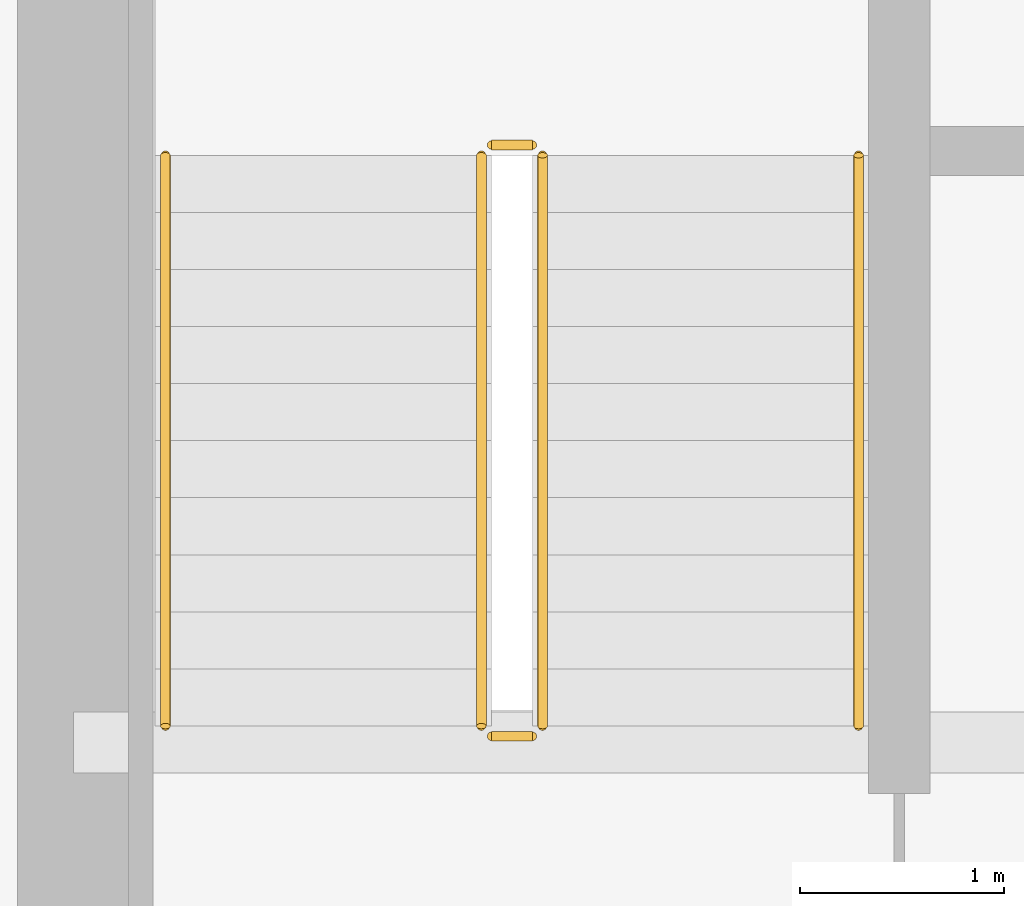
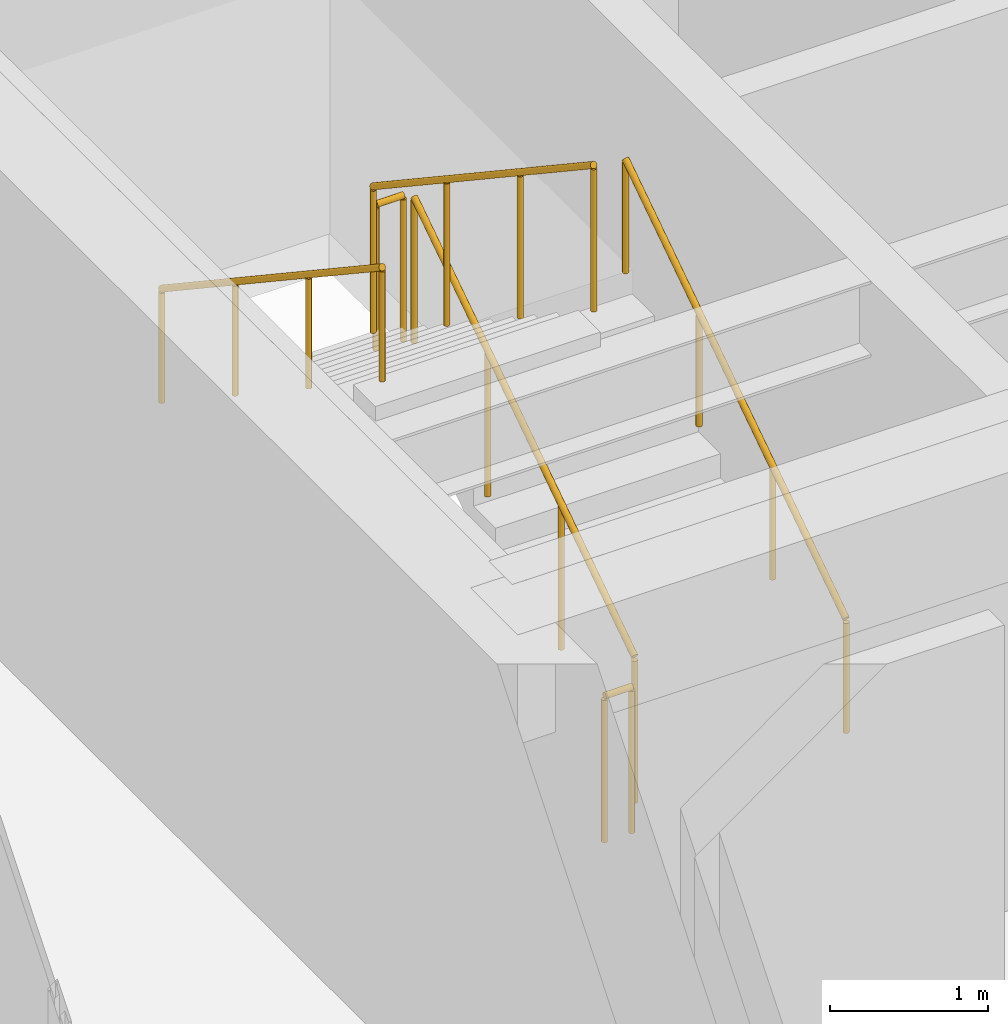
# One storey, part 32 of 33: 6 railings.
"""IFC4 building model written with IfcOpenShell, lengths in metres."""

from ifc_helpers import new_model, si_unit, direction, frame, origin, origin_2d, place, context, subcontext, project, spatial, circle, extrude, source, transform, mapped, material, type_object, type_shapes, element, save


model = new_model("IFC4")

# Units and contexts
model_context = context("Model", 3, precision=1e-05, world=origin(), true_north=direction((0.0, 1.0)))
body_context = subcontext(model_context, "Body", "Model", "MODEL_VIEW")
ifc_project = project(units=[si_unit("LENGTHUNIT", "METRE"), si_unit("AREAUNIT", "SQUARE_METRE"), si_unit("VOLUMEUNIT", "CUBIC_METRE"), si_unit("PLANEANGLEUNIT", "RADIAN"), si_unit("MASSUNIT", "GRAM", prefix="KILO")], contexts=[model_context])

# Site, building, storey
site_placement = place(None, origin())
site = spatial("IfcSite", under=ifc_project, at=site_placement, CompositionType="ELEMENT")
building_placement = place(site_placement, origin())
building = spatial("IfcBuilding", under=site, at=building_placement, Name="Haelvirn Gate Laboratories", CompositionType="ELEMENT")
storey_placement = place(building_placement, frame((0.0, 0.0, 258.800048828125)))
storey = spatial("IfcBuildingStorey", under=building, at=storey_placement, Name="L62", CompositionType="ELEMENT", Elevation=258.800048828125)

# Railings
ifc_material_1 = material(Name="Galvanised steel SM355 & stainless top rail", Category="steel")
railing_type_1 = type_object("IfcRailingType", Name="RL-GUARD-1150", PredefinedType="GUARDRAIL", material=ifc_material_1)
shared_shape_1 = source(origin(), body_context, "Body", "SweptSolid", [
    extrude(circle(Radius=0.02392578125, at=origin_2d()), frame((0.0, 0.0, 1.1259765625), z_axis=(-1.0, 0.0, 0.0), x_axis=(0.0, -1.0, 0.0)), (0.0, 0.0, 1.0), 0.199951171875),
    extrude(circle(Radius=0.02099609375, at=origin_2d()), origin(), (0.0, 0.0, 1.0), 1.101806640625),
    extrude(circle(Radius=0.02099609375, at=origin_2d()), frame((-0.199951171875, 0.0, 0.0)), (0.0, 0.0, 1.0), 1.101806640625),
])
for number, where, name in (
    (1, (9.64990234375, 29.550048828125, 2.050048828125), "L62 ST1 stair guard 2"),
    (2, (9.64990234375, 26.64990234375, 0.0), "L62 ST1 stair guard 4"),
):
    element("IfcRailing", number, at=place(storey_placement, frame(where)), inside=storey, type_object=railing_type_1, Name=name, PredefinedType="GUARDRAIL", context=body_context, shape_type="MappedRepresentation", body=[
        mapped(shared_shape_1, transform((0.0, 0.0, 0.0), scale=1.0)),
    ])
shared_shape_2 = source(origin(), body_context, "Body", "SweptSolid", [
    extrude(circle(Radius=0.02392578125, at=origin_2d()), frame((0.0, 0.0, 1.1259765625), z_axis=(0.0, 0.832452072856, 0.554097055034), x_axis=(-1.0, 0.0, 0.0)), (0.0, 0.0, 1.0), 3.363525390625),
    extrude(circle(Radius=0.02099609375, at=origin_2d()), origin(), (0.0, 0.0, 1.0), 1.101806640625),
    extrude(circle(Radius=0.02099609375, at=origin_2d()), frame((0.0, 0.933349609375, 0.621337890625)), (0.0, 0.0, 1.0), 1.101806640625),
    extrude(circle(Radius=0.02099609375, at=origin_2d()), frame((0.0, 1.86669921875, 1.242431640625)), (0.0, 0.0, 1.0), 1.101806640625),
    extrude(circle(Radius=0.02099609375, at=origin_2d()), frame((0.0, 2.800048828125, 1.86376953125)), (0.0, 0.0, 1.0), 1.101806640625),
])
railing_1_placement = place(storey_placement, frame((9.699951171875, 26.699951171875, 0.186279296875)))
element("IfcRailing", 3, at=railing_1_placement, inside=storey, type_object=railing_type_1, Name="L62 ST1 stair guard 1", PredefinedType="GUARDRAIL", context=body_context, shape_type="MappedRepresentation", body=[
    mapped(shared_shape_2, transform((0.0, 0.0, 0.0), scale=1.0)),
])
shared_shape_3 = source(origin(), body_context, "Body", "SweptSolid", [
    extrude(circle(Radius=0.02392578125, at=origin_2d()), frame((0.0, 0.0, 1.1259765625), z_axis=(0.0, -0.832485552168, 0.554046753832), x_axis=(1.0, 0.0, 0.0)), (0.0, 0.0, 1.0), 3.363525390625),
    extrude(circle(Radius=0.02099609375, at=origin_2d()), origin(), (0.0, 0.0, 1.0), 1.101806640625),
    extrude(circle(Radius=0.02099609375, at=origin_2d()), frame((0.0, -0.933349609375, 0.62109375)), (0.0, 0.0, 1.0), 1.101806640625),
    extrude(circle(Radius=0.02099609375, at=origin_2d()), frame((0.0, -1.86669921875, 1.242431640625)), (0.0, 0.0, 1.0), 1.101806640625),
    extrude(circle(Radius=0.02099609375, at=origin_2d()), frame((0.0, -2.800048828125, 1.863525390625)), (0.0, 0.0, 1.0), 1.101806640625),
])
type_shapes(railing_type_1, [shared_shape_1, shared_shape_2, shared_shape_3])
railing_2_placement = place(storey_placement, frame((9.39990234375, 29.5, 2.236328125)))
element("IfcRailing", 4, at=railing_2_placement, inside=storey, type_object=railing_type_1, Name="L62 ST1 stair guard 3", PredefinedType="GUARDRAIL", context=body_context, shape_type="MappedRepresentation", body=[
    mapped(shared_shape_3, transform((0.0, 0.0, 0.0), scale=1.0)),
])
ifc_material_2 = material(Name="Brushed stainless steel 316L", Category="steel")
railing_type_2 = type_object("IfcRailingType", Name="RL-HAND-920", PredefinedType="HANDRAIL", material=ifc_material_2)
shared_shape_4 = source(origin(), body_context, "Body", "SweptSolid", [
    extrude(circle(Radius=0.02392578125, at=origin_2d()), frame((0.0, 0.0, 0.8759765625), z_axis=(0.0, 0.832452072856, 0.554097055034), x_axis=(-1.0, 0.0, 0.0)), (0.0, 0.0, 1.0), 3.363525390625),
    extrude(circle(Radius=0.02099609375, at=origin_2d()), origin(), (0.0, 0.0, 1.0), 0.851806640625),
    extrude(circle(Radius=0.02099609375, at=origin_2d()), frame((0.0, 0.933349609375, 0.621337890625)), (0.0, 0.0, 1.0), 0.851806640625),
    extrude(circle(Radius=0.02099609375, at=origin_2d()), frame((0.0, 1.86669921875, 1.242431640625)), (0.0, 0.0, 1.0), 0.851806640625),
    extrude(circle(Radius=0.02099609375, at=origin_2d()), frame((0.0, 2.800048828125, 1.86376953125)), (0.0, 0.0, 1.0), 0.851806640625),
])
railing_3_placement = place(storey_placement, frame((11.25, 26.699951171875, 0.186279296875)))
element("IfcRailing", 5, at=railing_3_placement, inside=storey, type_object=railing_type_2, Name="L62 ST1 stair handrail 1", PredefinedType="HANDRAIL", context=body_context, shape_type="MappedRepresentation", body=[
    mapped(shared_shape_4, transform((0.0, 0.0, 0.0), scale=1.0)),
])
shared_shape_5 = source(origin(), body_context, "Body", "SweptSolid", [
    extrude(circle(Radius=0.02392578125, at=origin_2d()), frame((0.0, 0.0, 0.8759765625), z_axis=(0.0, -0.832485552168, 0.554046753832), x_axis=(1.0, 0.0, 0.0)), (0.0, 0.0, 1.0), 3.363525390625),
    extrude(circle(Radius=0.02099609375, at=origin_2d()), origin(), (0.0, 0.0, 1.0), 0.851806640625),
    extrude(circle(Radius=0.02099609375, at=origin_2d()), frame((0.0, -0.933349609375, 0.62109375)), (0.0, 0.0, 1.0), 0.851806640625),
    extrude(circle(Radius=0.02099609375, at=origin_2d()), frame((0.0, -1.86669921875, 1.242431640625)), (0.0, 0.0, 1.0), 0.851806640625),
    extrude(circle(Radius=0.02099609375, at=origin_2d()), frame((0.0, -2.800048828125, 1.863525390625)), (0.0, 0.0, 1.0), 0.851806640625),
])
type_shapes(railing_type_2, [shared_shape_4, shared_shape_5])
railing_4_placement = place(storey_placement, frame((7.85009765625, 29.5, 2.236328125)))
element("IfcRailing", 6, at=railing_4_placement, inside=storey, type_object=railing_type_2, Name="L62 ST1 stair handrail 2", PredefinedType="HANDRAIL", context=body_context, shape_type="MappedRepresentation", body=[
    mapped(shared_shape_5, transform((0.0, 0.0, 0.0), scale=1.0)),
])

save(model, "model.ifc")
